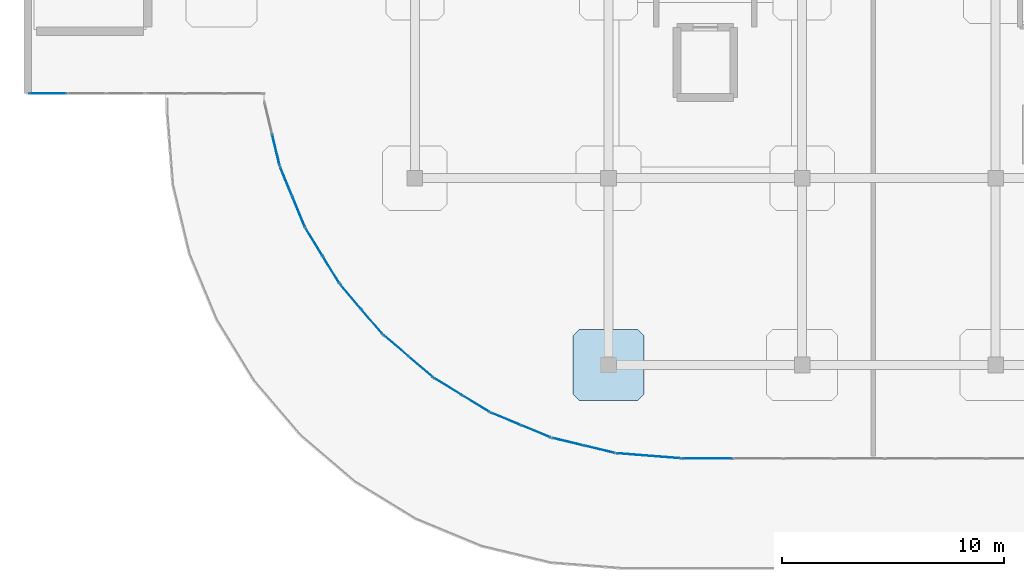
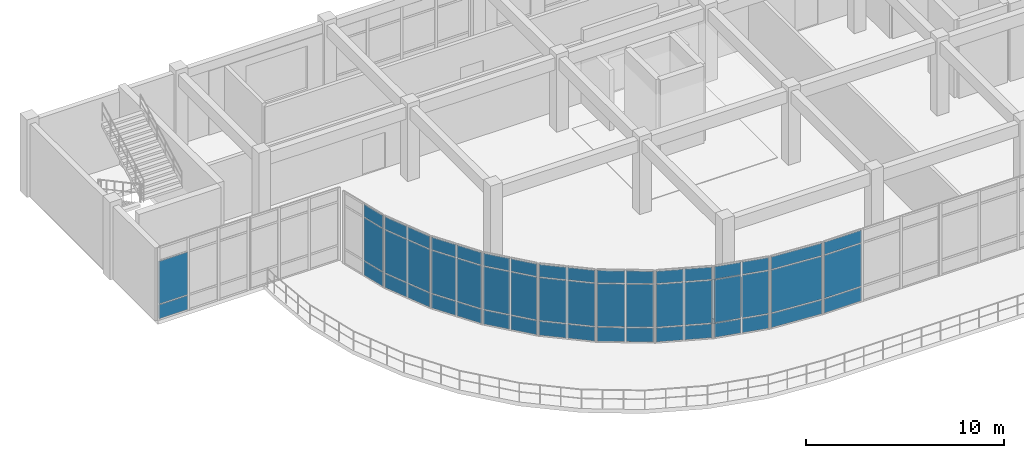
# One storey, part 51 of 76: 53 plates, 1 slab, 11 elements without a shape of their own.
"""IFC4 building model written with IfcOpenShell, lengths in metres."""

from ifc_helpers import new_model, si_unit, derived_unit, direction, frame, origin, origin_2d, place, context, subcontext, project, spatial, polyline, rectangle, outline, extrude, material, layer, layer_set, type_object, element, aggregate, save


model = new_model("IFC4")

# Units and contexts
model_context = context("Model", 3, precision=1e-05, world=origin(), true_north=direction((0.0, 1.0)))
body_context = subcontext(model_context, "Body", "Model", "MODEL_VIEW")
ifc_project = project(units=[si_unit("LENGTHUNIT", "METRE"), si_unit("AREAUNIT", "SQUARE_METRE"), si_unit("VOLUMEUNIT", "CUBIC_METRE"), si_unit("PLANEANGLEUNIT", "RADIAN"), si_unit("MASSUNIT", "GRAM", prefix="KILO"), derived_unit("THERMALTRANSMITTANCEUNIT", [(si_unit("MASSUNIT", "GRAM", prefix="KILO"), 1), (si_unit("TIMEUNIT", "SECOND"), -3), (si_unit("THERMODYNAMICTEMPERATUREUNIT", "KELVIN"), -1)])], contexts=[model_context])

# Site, building, storey
site_placement = place(None, origin())
site = spatial("IfcSite", under=ifc_project, at=site_placement, CompositionType="ELEMENT")
building_placement = place(site_placement, origin())
building = spatial("IfcBuilding", under=site, at=building_placement, Name="Qinzheling Arcade Emporium", CompositionType="ELEMENT")
storey_placement = place(building_placement, frame((0.0, 0.0, 26.699951171875)))
storey = spatial("IfcBuildingStorey", under=building, at=storey_placement, Name="L06", CompositionType="ELEMENT", Elevation=26.699951171875)

# Slab
ifc_material_1 = material(Name="Concrete C40", Category="concrete")
ifc_layer_1 = layer(ifc_material_1, 0.300048828125, Name="Concrete C40", Category="concrete")
ifc_layer_set_1 = layer_set([ifc_layer_1], Name="Concrete C40")
slab_type = type_object("IfcSlabType", Name="Column Head Drop Panel 3200x3200x300 C40", PredefinedType="USERDEFINED", material=ifc_layer_set_1)
slab_placement = place(storey_placement, frame((0.0, 0.0, -0.579833984375)))
element("IfcSlab", 1, at=slab_placement, inside=storey, type_object=slab_type, Name="Column Drop Panel DP-L06-4-C", ObjectType="DROP_PANEL", PredefinedType="USERDEFINED", context=body_context, shape_type="SweptSolid", body=[
    extrude(outline(polyline([(24.780029296875, 15.199951171875), (27.419921875, 15.199951171875), (27.699951171875, 15.47998046875), (27.699951171875, 18.1201171875), (27.419921875, 18.39990234375), (24.780029296875, 18.39990234375), (24.5, 18.1201171875), (24.5, 15.47998046875), (24.780029296875, 15.199951171875)])), origin(), (0.0, 0.0, 1.0), 0.2998046875),
])

# Curtain wall, plates
ifc_material_2 = material(Name="Anodised aluminium and solar-control double glazing", Category="aluminium")
ifc_layer_2 = layer(ifc_material_2, 0.159912109375, Name="Anodised aluminium and solar-control double glazing", Category="aluminium")
ifc_layer_set_2 = layer_set([ifc_layer_2], Name="Anodised aluminium and solar-control double glazing")
curtain_wall_type_1 = type_object("IfcCurtainWallType", Name="Arcade Portal Glazed Curtain Wall", PredefinedType="NOTDEFINED", material=ifc_layer_set_2)
curtain_wall_1_placement = place(storey_placement, origin())
curtain_wall_1 = element("IfcCurtainWall", 2, at=curtain_wall_1_placement, inside=storey, type_object=curtain_wall_type_1, Name="Curtain Wall CW-L06-349", PredefinedType="NOTDEFINED")
ifc_material_3 = material(Name="Laminated solar-control double glazing", Category="glass")
ifc_layer_3 = layer(ifc_material_3, 0.02392578125, Name="Laminated solar-control double glazing", Category="glass")
ifc_layer_set_3 = layer_set([ifc_layer_3], Name="Laminated solar-control double glazing")
plate_type_1 = type_object("IfcPlateType", Name="Low-E Double Glazed Curtain Panel 24mm", PredefinedType="CURTAIN_PANEL", material=ifc_layer_set_3)
plate_1_placement = place(storey_placement, frame((30.5546875, 12.60009765625, 0.06005859375), z_axis=(0.0, 0.0, 1.0), x_axis=(-1.0, 0.0, 0.0)))
plate_1 = element("IfcPlate", 3, at=plate_1_placement, type_object=plate_type_1, Name="CW05 panel 3.1", PredefinedType="CURTAIN_PANEL", context=body_context, shape_type="SweptSolid", body=[
    extrude(rectangle(XDim=2.189453125, YDim=0.02392578125, at=origin_2d()), origin(), (0.0, 0.0, 1.0), 0.860107421875),
])
plate_2_placement = place(storey_placement, frame((30.5546875, 12.60009765625, 0.980224609375), z_axis=(0.0, 0.0, 1.0), x_axis=(-1.0, 0.0, 0.0)))
plate_2 = element("IfcPlate", 4, at=plate_2_placement, type_object=plate_type_1, Name="CW05 panel 3.2", PredefinedType="CURTAIN_PANEL", context=body_context, shape_type="SweptSolid", body=[
    extrude(rectangle(XDim=2.189453125, YDim=0.02392578125, at=origin_2d()), origin(), (0.0, 0.0, 1.0), 2.6298828125),
])
plate_3_placement = place(storey_placement, frame((30.5546875, 12.60009765625, 3.669921875), z_axis=(0.0, 0.0, 1.0), x_axis=(-1.0, 0.0, 0.0)))
plate_3 = element("IfcPlate", 5, at=plate_3_placement, type_object=plate_type_1, Name="CW05 panel 3.3", PredefinedType="CURTAIN_PANEL", context=body_context, shape_type="SweptSolid", body=[
    extrude(rectangle(XDim=2.189453125, YDim=0.02392578125, at=origin_2d()), origin(), (0.0, 0.0, 1.0), 0.760009765625),
])
aggregate(curtain_wall_1, [plate_1, plate_2, plate_3])

curtain_wall_2_placement = place(storey_placement, origin())
curtain_wall_2 = element("IfcCurtainWall", 6, at=curtain_wall_2_placement, inside=storey, type_object=curtain_wall_type_1, Name="Curtain Wall CW-L06-350", PredefinedType="NOTDEFINED")
ifc_layer_4 = layer(ifc_material_3, 0.02490234375, Name="Laminated solar-control double glazing", Category="glass")
ifc_layer_set_4 = layer_set([ifc_layer_4], Name="Laminated solar-control double glazing")
plate_type_2 = type_object("IfcPlateType", Name="Low-E Double Glazed Curtain Panel 25mm", PredefinedType="CURTAIN_PANEL", material=ifc_layer_set_4)
plate_4_placement = place(storey_placement, frame((27.9140625, 12.717041015625, 0.06005859375), z_axis=(0.0, 0.0, 1.0), x_axis=(-0.996914748145, 0.078491941816, 0.0)))
plate_4 = element("IfcPlate", 7, at=plate_4_placement, type_object=plate_type_2, Name="CW05 panel 1.1", PredefinedType="CURTAIN_PANEL", context=body_context, shape_type="SweptSolid", body=[
    extrude(rectangle(XDim=2.861083984375, YDim=0.02490234375, at=origin_2d()), origin(), (0.0, 0.0, 1.0), 0.860107421875),
])
plate_5_placement = place(storey_placement, frame((27.9140625, 12.717041015625, 0.980224609375), z_axis=(0.0, 0.0, 1.0), x_axis=(-0.996914748145, 0.078491941816, 0.0)))
plate_5 = element("IfcPlate", 8, at=plate_5_placement, type_object=plate_type_2, Name="CW05 panel 1.2", PredefinedType="CURTAIN_PANEL", context=body_context, shape_type="SweptSolid", body=[
    extrude(rectangle(XDim=2.861083984375, YDim=0.02490234375, at=origin_2d()), origin(), (0.0, 0.0, 1.0), 2.6298828125),
])
plate_6_placement = place(storey_placement, frame((27.9140625, 12.717041015625, 3.669921875), z_axis=(0.0, 0.0, 1.0), x_axis=(-0.996914748145, 0.078491941816, 0.0)))
plate_6 = element("IfcPlate", 9, at=plate_6_placement, type_object=plate_type_2, Name="CW05 panel 1.3", PredefinedType="CURTAIN_PANEL", context=body_context, shape_type="SweptSolid", body=[
    extrude(rectangle(XDim=2.861083984375, YDim=0.02490234375, at=origin_2d()), origin(), (0.0, 0.0, 1.0), 0.760009765625),
])
aggregate(curtain_wall_2, [plate_4, plate_5, plate_6])

ifc_layer_5 = layer(ifc_material_2, 0.159912109375, Name="Anodised aluminium and solar-control double glazing", Category="aluminium")
ifc_layer_set_5 = layer_set([ifc_layer_5], Name="Anodised aluminium and solar-control double glazing")
curtain_wall_type_2 = type_object("IfcCurtainWallType", Name="Curved Ribbon Sales Curtain Wall", PredefinedType="NOTDEFINED", material=ifc_layer_set_5)
curtain_wall_3_placement = place(storey_placement, origin())
curtain_wall_3 = element("IfcCurtainWall", 10, at=curtain_wall_3_placement, inside=storey, type_object=curtain_wall_type_2, Name="Curtain Wall CW-L06-351", PredefinedType="NOTDEFINED")
ifc_layer_6 = layer(ifc_material_3, 0.02587890625, Name="Laminated solar-control double glazing", Category="glass")
ifc_layer_set_6 = layer_set([ifc_layer_6], Name="Laminated solar-control double glazing")
plate_type_3 = type_object("IfcPlateType", Name="Low-E Double Glazed Curtain Panel 26mm", PredefinedType="CURTAIN_PANEL", material=ifc_layer_set_6)
plate_7_placement = place(storey_placement, frame((25.688720703125, 13.011474609375, 0.06005859375), z_axis=(0.0, 0.0, 1.0), x_axis=(-0.972369031298, 0.233449067193, 0.0)))
plate_7 = element("IfcPlate", 11, at=plate_7_placement, type_object=plate_type_3, Name="CW02 panel 1.1", PredefinedType="CURTAIN_PANEL", context=body_context, shape_type="SweptSolid", body=[
    extrude(rectangle(XDim=1.400634765625, YDim=0.02587890625, at=origin_2d()), origin(), (0.0, 0.0, 1.0), 0.860107421875),
])
plate_8_placement = place(storey_placement, frame((25.688720703125, 13.011474609375, 0.980224609375), z_axis=(0.0, 0.0, 1.0), x_axis=(-0.972369031298, 0.233449067193, 0.0)))
plate_8 = element("IfcPlate", 12, at=plate_8_placement, type_object=plate_type_3, Name="CW02 panel 1.2", PredefinedType="CURTAIN_PANEL", context=body_context, shape_type="SweptSolid", body=[
    extrude(rectangle(XDim=1.400634765625, YDim=0.02587890625, at=origin_2d()), origin(), (0.0, 0.0, 1.0), 2.6298828125),
])
plate_9_placement = place(storey_placement, frame((25.688720703125, 13.011474609375, 3.669921875), z_axis=(0.0, 0.0, 1.0), x_axis=(-0.972369031298, 0.233449067193, 0.0)))
plate_9 = element("IfcPlate", 13, at=plate_9_placement, type_object=plate_type_3, Name="CW02 panel 1.3", PredefinedType="CURTAIN_PANEL", context=body_context, shape_type="SweptSolid", body=[
    extrude(rectangle(XDim=1.400634765625, YDim=0.02587890625, at=origin_2d()), origin(), (0.0, 0.0, 1.0), 0.760009765625),
])
plate_10_placement = place(storey_placement, frame((24.268310546875, 13.3525390625, 0.06005859375), z_axis=(0.0, 0.0, 1.0), x_axis=(-0.972369031298, 0.233449067193, 0.0)))
plate_10 = element("IfcPlate", 14, at=plate_10_placement, type_object=plate_type_3, Name="CW02 panel 2.1", PredefinedType="CURTAIN_PANEL", context=body_context, shape_type="SweptSolid", body=[
    extrude(rectangle(XDim=1.400634765625, YDim=0.02587890625, at=origin_2d()), origin(), (0.0, 0.0, 1.0), 0.860107421875),
])
plate_11_placement = place(storey_placement, frame((24.268310546875, 13.3525390625, 0.980224609375), z_axis=(0.0, 0.0, 1.0), x_axis=(-0.972369031298, 0.233449067193, 0.0)))
plate_11 = element("IfcPlate", 15, at=plate_11_placement, type_object=plate_type_3, Name="CW02 panel 2.2", PredefinedType="CURTAIN_PANEL", context=body_context, shape_type="SweptSolid", body=[
    extrude(rectangle(XDim=1.400634765625, YDim=0.02587890625, at=origin_2d()), origin(), (0.0, 0.0, 1.0), 2.6298828125),
])
plate_12_placement = place(storey_placement, frame((24.268310546875, 13.3525390625, 3.669921875), z_axis=(0.0, 0.0, 1.0), x_axis=(-0.972369031298, 0.233449067193, 0.0)))
plate_12 = element("IfcPlate", 16, at=plate_12_placement, type_object=plate_type_3, Name="CW02 panel 2.3", PredefinedType="CURTAIN_PANEL", context=body_context, shape_type="SweptSolid", body=[
    extrude(rectangle(XDim=1.400634765625, YDim=0.02587890625, at=origin_2d()), origin(), (0.0, 0.0, 1.0), 0.760009765625),
])
aggregate(curtain_wall_3, [plate_7, plate_8, plate_9, plate_10, plate_11, plate_12])

curtain_wall_4_placement = place(storey_placement, origin())
curtain_wall_4 = element("IfcCurtainWall", 17, at=curtain_wall_4_placement, inside=storey, type_object=curtain_wall_type_2, Name="Curtain Wall CW-L06-352", PredefinedType="NOTDEFINED")
ifc_layer_7 = layer(ifc_material_3, 0.027099609375, Name="Laminated solar-control double glazing", Category="glass")
ifc_layer_set_7 = layer_set([ifc_layer_7], Name="Laminated solar-control double glazing")
plate_type_4 = type_object("IfcPlateType", Name="Low-E Double Glazed Curtain Panel 27mm", PredefinedType="CURTAIN_PANEL", material=ifc_layer_set_7)
plate_13_placement = place(storey_placement, frame((22.826416015625, 13.821044921875, 0.06005859375), z_axis=(0.0, 0.0, 1.0), x_axis=(-0.923898307913, 0.382638101391, 0.0)))
plate_13 = element("IfcPlate", 18, at=plate_13_placement, type_object=plate_type_4, Name="CW02 panel 1.1", PredefinedType="CURTAIN_PANEL", context=body_context, shape_type="SweptSolid", body=[
    extrude(rectangle(XDim=1.40087890625, YDim=0.027099609375, at=origin_2d()), origin(), (0.0, 0.0, 1.0), 0.860107421875),
])
plate_14_placement = place(storey_placement, frame((22.826416015625, 13.821044921875, 0.980224609375), z_axis=(0.0, 0.0, 1.0), x_axis=(-0.923898307913, 0.382638101391, 0.0)))
plate_14 = element("IfcPlate", 19, at=plate_14_placement, type_object=plate_type_4, Name="CW02 panel 1.2", PredefinedType="CURTAIN_PANEL", context=body_context, shape_type="SweptSolid", body=[
    extrude(rectangle(XDim=1.40087890625, YDim=0.027099609375, at=origin_2d()), origin(), (0.0, 0.0, 1.0), 2.6298828125),
])
plate_15_placement = place(storey_placement, frame((22.826416015625, 13.821044921875, 3.669921875), z_axis=(0.0, 0.0, 1.0), x_axis=(-0.923898307913, 0.382638101391, 0.0)))
plate_15 = element("IfcPlate", 20, at=plate_15_placement, type_object=plate_type_4, Name="CW02 panel 1.3", PredefinedType="CURTAIN_PANEL", context=body_context, shape_type="SweptSolid", body=[
    extrude(rectangle(XDim=1.40087890625, YDim=0.027099609375, at=origin_2d()), origin(), (0.0, 0.0, 1.0), 0.760009765625),
])
plate_16_placement = place(storey_placement, frame((21.4765625, 14.380126953125, 0.06005859375), z_axis=(0.0, 0.0, 1.0), x_axis=(-0.923898307913, 0.382638101391, 0.0)))
plate_16 = element("IfcPlate", 21, at=plate_16_placement, type_object=plate_type_4, Name="CW02 panel 2.1", PredefinedType="CURTAIN_PANEL", context=body_context, shape_type="SweptSolid", body=[
    extrude(rectangle(XDim=1.40087890625, YDim=0.027099609375, at=origin_2d()), origin(), (0.0, 0.0, 1.0), 0.860107421875),
])
plate_17_placement = place(storey_placement, frame((21.4765625, 14.380126953125, 0.980224609375), z_axis=(0.0, 0.0, 1.0), x_axis=(-0.923898307913, 0.382638101391, 0.0)))
plate_17 = element("IfcPlate", 22, at=plate_17_placement, type_object=plate_type_4, Name="CW02 panel 2.2", PredefinedType="CURTAIN_PANEL", context=body_context, shape_type="SweptSolid", body=[
    extrude(rectangle(XDim=1.40087890625, YDim=0.027099609375, at=origin_2d()), origin(), (0.0, 0.0, 1.0), 2.6298828125),
])
plate_18_placement = place(storey_placement, frame((21.4765625, 14.380126953125, 3.669921875), z_axis=(0.0, 0.0, 1.0), x_axis=(-0.923898307913, 0.382638101391, 0.0)))
plate_18 = element("IfcPlate", 23, at=plate_18_placement, type_object=plate_type_4, Name="CW02 panel 2.3", PredefinedType="CURTAIN_PANEL", context=body_context, shape_type="SweptSolid", body=[
    extrude(rectangle(XDim=1.40087890625, YDim=0.027099609375, at=origin_2d()), origin(), (0.0, 0.0, 1.0), 0.760009765625),
])
aggregate(curtain_wall_4, [plate_13, plate_14, plate_15, plate_16, plate_17, plate_18])

curtain_wall_5_placement = place(storey_placement, origin())
curtain_wall_5 = element("IfcCurtainWall", 24, at=curtain_wall_5_placement, inside=storey, type_object=curtain_wall_type_2, Name="Curtain Wall CW-L06-353", PredefinedType="NOTDEFINED")
ifc_layer_8 = layer(ifc_material_3, 0.028076171875, Name="Laminated solar-control double glazing", Category="glass")
ifc_layer_set_8 = layer_set([ifc_layer_8], Name="Laminated solar-control double glazing")
plate_type_5 = type_object("IfcPlateType", Name="Low-E Double Glazed Curtain Panel 28mm", PredefinedType="CURTAIN_PANEL", material=ifc_layer_set_8)
plate_19_placement = place(storey_placement, frame((20.125732421875, 15.068359375, 0.06005859375), z_axis=(0.0, 0.0, 1.0), x_axis=(-0.852601252413, 0.522562057926, 0.0)))
plate_19 = element("IfcPlate", 25, at=plate_19_placement, type_object=plate_type_5, Name="CW02 panel 1.1", PredefinedType="CURTAIN_PANEL", context=body_context, shape_type="SweptSolid", body=[
    extrude(rectangle(XDim=1.400634765625, YDim=0.028076171875, at=origin_2d()), origin(), (0.0, 0.0, 1.0), 0.860107421875),
])
plate_20_placement = place(storey_placement, frame((20.125732421875, 15.068359375, 0.980224609375), z_axis=(0.0, 0.0, 1.0), x_axis=(-0.852601252413, 0.522562057926, 0.0)))
plate_20 = element("IfcPlate", 26, at=plate_20_placement, type_object=plate_type_5, Name="CW02 panel 1.2", PredefinedType="CURTAIN_PANEL", context=body_context, shape_type="SweptSolid", body=[
    extrude(rectangle(XDim=1.400634765625, YDim=0.028076171875, at=origin_2d()), origin(), (0.0, 0.0, 1.0), 2.6298828125),
])
plate_21_placement = place(storey_placement, frame((20.125732421875, 15.068359375, 3.669921875), z_axis=(0.0, 0.0, 1.0), x_axis=(-0.852601252413, 0.522562057926, 0.0)))
plate_21 = element("IfcPlate", 27, at=plate_21_placement, type_object=plate_type_5, Name="CW02 panel 1.3", PredefinedType="CURTAIN_PANEL", context=body_context, shape_type="SweptSolid", body=[
    extrude(rectangle(XDim=1.400634765625, YDim=0.028076171875, at=origin_2d()), origin(), (0.0, 0.0, 1.0), 0.760009765625),
])
plate_22_placement = place(storey_placement, frame((18.88037109375, 15.83154296875, 0.06005859375), z_axis=(0.0, 0.0, 1.0), x_axis=(-0.852601252413, 0.522562057926, 0.0)))
plate_22 = element("IfcPlate", 28, at=plate_22_placement, type_object=plate_type_5, Name="CW02 panel 2.1", PredefinedType="CURTAIN_PANEL", context=body_context, shape_type="SweptSolid", body=[
    extrude(rectangle(XDim=1.400634765625, YDim=0.028076171875, at=origin_2d()), origin(), (0.0, 0.0, 1.0), 0.860107421875),
])
plate_23_placement = place(storey_placement, frame((18.88037109375, 15.83154296875, 0.980224609375), z_axis=(0.0, 0.0, 1.0), x_axis=(-0.852601252413, 0.522562057926, 0.0)))
plate_23 = element("IfcPlate", 29, at=plate_23_placement, type_object=plate_type_5, Name="CW02 panel 2.2", PredefinedType="CURTAIN_PANEL", context=body_context, shape_type="SweptSolid", body=[
    extrude(rectangle(XDim=1.400634765625, YDim=0.028076171875, at=origin_2d()), origin(), (0.0, 0.0, 1.0), 2.6298828125),
])
plate_24_placement = place(storey_placement, frame((18.88037109375, 15.83154296875, 3.669921875), z_axis=(0.0, 0.0, 1.0), x_axis=(-0.852601252413, 0.522562057926, 0.0)))
plate_24 = element("IfcPlate", 30, at=plate_24_placement, type_object=plate_type_5, Name="CW02 panel 2.3", PredefinedType="CURTAIN_PANEL", context=body_context, shape_type="SweptSolid", body=[
    extrude(rectangle(XDim=1.400634765625, YDim=0.028076171875, at=origin_2d()), origin(), (0.0, 0.0, 1.0), 0.760009765625),
])
aggregate(curtain_wall_5, [plate_19, plate_20, plate_21, plate_22, plate_23, plate_24])

curtain_wall_6_placement = place(storey_placement, origin())
curtain_wall_6 = element("IfcCurtainWall", 31, at=curtain_wall_6_placement, inside=storey, type_object=curtain_wall_type_2, Name="Curtain Wall CW-L06-354", PredefinedType="NOTDEFINED")
ifc_layer_9 = layer(ifc_material_3, 0.029052734375, Name="Laminated solar-control double glazing", Category="glass")
ifc_layer_set_9 = layer_set([ifc_layer_9], Name="Laminated solar-control double glazing")
plate_type_6 = type_object("IfcPlateType", Name="Low-E Double Glazed Curtain Panel 29mm", PredefinedType="CURTAIN_PANEL", material=ifc_layer_set_9)
plate_25_placement = place(storey_placement, frame((17.65380859375, 16.72265625, 0.06005859375), z_axis=(0.0, 0.0, 1.0), x_axis=(-0.760439246879, 0.649409078937, 0.0)))
plate_25 = element("IfcPlate", 32, at=plate_25_placement, type_object=plate_type_6, Name="CW02 panel 1.1", PredefinedType="CURTAIN_PANEL", context=body_context, shape_type="SweptSolid", body=[
    extrude(rectangle(XDim=1.400634765625, YDim=0.029052734375, at=origin_2d()), origin(), (0.0, 0.0, 1.0), 0.860107421875),
])
plate_26_placement = place(storey_placement, frame((17.65380859375, 16.72265625, 0.980224609375), z_axis=(0.0, 0.0, 1.0), x_axis=(-0.760439246879, 0.649409078937, 0.0)))
plate_26 = element("IfcPlate", 33, at=plate_26_placement, type_object=plate_type_6, Name="CW02 panel 1.2", PredefinedType="CURTAIN_PANEL", context=body_context, shape_type="SweptSolid", body=[
    extrude(rectangle(XDim=1.400634765625, YDim=0.029052734375, at=origin_2d()), origin(), (0.0, 0.0, 1.0), 2.6298828125),
])
plate_27_placement = place(storey_placement, frame((17.65380859375, 16.72265625, 3.669921875), z_axis=(0.0, 0.0, 1.0), x_axis=(-0.760439246879, 0.649409078937, 0.0)))
plate_27 = element("IfcPlate", 34, at=plate_27_placement, type_object=plate_type_6, Name="CW02 panel 1.3", PredefinedType="CURTAIN_PANEL", context=body_context, shape_type="SweptSolid", body=[
    extrude(rectangle(XDim=1.400634765625, YDim=0.029052734375, at=origin_2d()), origin(), (0.0, 0.0, 1.0), 0.760009765625),
])
plate_28_placement = place(storey_placement, frame((16.543212890625, 17.671142578125, 0.06005859375), z_axis=(0.0, 0.0, 1.0), x_axis=(-0.760439246879, 0.649409078937, 0.0)))
plate_28 = element("IfcPlate", 35, at=plate_28_placement, type_object=plate_type_6, Name="CW02 panel 2.1", PredefinedType="CURTAIN_PANEL", context=body_context, shape_type="SweptSolid", body=[
    extrude(rectangle(XDim=1.400634765625, YDim=0.029052734375, at=origin_2d()), origin(), (0.0, 0.0, 1.0), 0.860107421875),
])
plate_29_placement = place(storey_placement, frame((16.543212890625, 17.671142578125, 0.980224609375), z_axis=(0.0, 0.0, 1.0), x_axis=(-0.760439246879, 0.649409078937, 0.0)))
plate_29 = element("IfcPlate", 36, at=plate_29_placement, type_object=plate_type_6, Name="CW02 panel 2.2", PredefinedType="CURTAIN_PANEL", context=body_context, shape_type="SweptSolid", body=[
    extrude(rectangle(XDim=1.400634765625, YDim=0.029052734375, at=origin_2d()), origin(), (0.0, 0.0, 1.0), 2.6298828125),
])
plate_30_placement = place(storey_placement, frame((16.543212890625, 17.671142578125, 3.669921875), z_axis=(0.0, 0.0, 1.0), x_axis=(-0.760439246879, 0.649409078937, 0.0)))
plate_30 = element("IfcPlate", 37, at=plate_30_placement, type_object=plate_type_6, Name="CW02 panel 2.3", PredefinedType="CURTAIN_PANEL", context=body_context, shape_type="SweptSolid", body=[
    extrude(rectangle(XDim=1.400634765625, YDim=0.029052734375, at=origin_2d()), origin(), (0.0, 0.0, 1.0), 0.760009765625),
])
aggregate(curtain_wall_6, [plate_25, plate_26, plate_27, plate_28, plate_29, plate_30])

curtain_wall_7_placement = place(storey_placement, origin())
curtain_wall_7 = element("IfcCurtainWall", 38, at=curtain_wall_7_placement, inside=storey, type_object=curtain_wall_type_2, Name="Curtain Wall CW-L06-355", PredefinedType="NOTDEFINED")
ifc_layer_10 = layer(ifc_material_3, 0.030029296875, Name="Laminated solar-control double glazing", Category="glass")
ifc_layer_set_10 = layer_set([ifc_layer_10], Name="Laminated solar-control double glazing")
plate_type_7 = type_object("IfcPlateType", Name="Low-E Double Glazed Curtain Panel 30mm", PredefinedType="CURTAIN_PANEL", material=ifc_layer_set_10)
plate_31_placement = place(storey_placement, frame((15.47119140625, 18.7431640625, 0.06005859375), z_axis=(0.0, 0.0, 1.0), x_axis=(-0.649409078937, 0.760439246879, 0.0)))
plate_31 = element("IfcPlate", 39, at=plate_31_placement, type_object=plate_type_7, Name="CW02 panel 1.1", PredefinedType="CURTAIN_PANEL", context=body_context, shape_type="SweptSolid", body=[
    extrude(rectangle(XDim=1.400634765625, YDim=0.030029296875, at=origin_2d()), origin(), (0.0, 0.0, 1.0), 0.860107421875),
])
plate_32_placement = place(storey_placement, frame((15.47119140625, 18.7431640625, 0.980224609375), z_axis=(0.0, 0.0, 1.0), x_axis=(-0.649409078937, 0.760439246879, 0.0)))
plate_32 = element("IfcPlate", 40, at=plate_32_placement, type_object=plate_type_7, Name="CW02 panel 1.2", PredefinedType="CURTAIN_PANEL", context=body_context, shape_type="SweptSolid", body=[
    extrude(rectangle(XDim=1.400634765625, YDim=0.030029296875, at=origin_2d()), origin(), (0.0, 0.0, 1.0), 2.6298828125),
])
plate_33_placement = place(storey_placement, frame((15.47119140625, 18.7431640625, 3.669921875), z_axis=(0.0, 0.0, 1.0), x_axis=(-0.649409078937, 0.760439246879, 0.0)))
plate_33 = element("IfcPlate", 41, at=plate_33_placement, type_object=plate_type_7, Name="CW02 panel 1.3", PredefinedType="CURTAIN_PANEL", context=body_context, shape_type="SweptSolid", body=[
    extrude(rectangle(XDim=1.400634765625, YDim=0.030029296875, at=origin_2d()), origin(), (0.0, 0.0, 1.0), 0.760009765625),
])
plate_34_placement = place(storey_placement, frame((14.522705078125, 19.853759765625, 0.06005859375), z_axis=(0.0, 0.0, 1.0), x_axis=(-0.649409078937, 0.760439246879, 0.0)))
plate_34 = element("IfcPlate", 42, at=plate_34_placement, type_object=plate_type_7, Name="CW02 panel 2.1", PredefinedType="CURTAIN_PANEL", context=body_context, shape_type="SweptSolid", body=[
    extrude(rectangle(XDim=1.400634765625, YDim=0.030029296875, at=origin_2d()), origin(), (0.0, 0.0, 1.0), 0.860107421875),
])
plate_35_placement = place(storey_placement, frame((14.522705078125, 19.853759765625, 0.980224609375), z_axis=(0.0, 0.0, 1.0), x_axis=(-0.649409078937, 0.760439246879, 0.0)))
plate_35 = element("IfcPlate", 43, at=plate_35_placement, type_object=plate_type_7, Name="CW02 panel 2.2", PredefinedType="CURTAIN_PANEL", context=body_context, shape_type="SweptSolid", body=[
    extrude(rectangle(XDim=1.400634765625, YDim=0.030029296875, at=origin_2d()), origin(), (0.0, 0.0, 1.0), 2.6298828125),
])
plate_36_placement = place(storey_placement, frame((14.522705078125, 19.853759765625, 3.669921875), z_axis=(0.0, 0.0, 1.0), x_axis=(-0.649409078937, 0.760439246879, 0.0)))
plate_36 = element("IfcPlate", 44, at=plate_36_placement, type_object=plate_type_7, Name="CW02 panel 2.3", PredefinedType="CURTAIN_PANEL", context=body_context, shape_type="SweptSolid", body=[
    extrude(rectangle(XDim=1.400634765625, YDim=0.030029296875, at=origin_2d()), origin(), (0.0, 0.0, 1.0), 0.760009765625),
])
aggregate(curtain_wall_7, [plate_31, plate_32, plate_33, plate_34, plate_35, plate_36])

curtain_wall_8_placement = place(storey_placement, origin())
curtain_wall_8 = element("IfcCurtainWall", 45, at=curtain_wall_8_placement, inside=storey, type_object=curtain_wall_type_2, Name="Curtain Wall CW-L06-356", PredefinedType="NOTDEFINED")
ifc_layer_11 = layer(ifc_material_3, 0.031005859375, Name="Laminated solar-control double glazing", Category="glass")
ifc_layer_set_11 = layer_set([ifc_layer_11], Name="Laminated solar-control double glazing")
plate_type_8 = type_object("IfcPlateType", Name="Low-E Double Glazed Curtain Panel 31mm", PredefinedType="CURTAIN_PANEL", material=ifc_layer_set_11)
plate_37_placement = place(storey_placement, frame((13.631591796875, 21.080322265625, 0.06005859375), z_axis=(0.0, 0.0, 1.0), x_axis=(-0.522562057926, 0.852601252413, 0.0)))
plate_37 = element("IfcPlate", 46, at=plate_37_placement, type_object=plate_type_8, Name="CW02 panel 1.1", PredefinedType="CURTAIN_PANEL", context=body_context, shape_type="SweptSolid", body=[
    extrude(rectangle(XDim=1.400634765625, YDim=0.031005859375, at=origin_2d()), origin(), (0.0, 0.0, 1.0), 0.860107421875),
])
plate_38_placement = place(storey_placement, frame((13.631591796875, 21.080322265625, 0.980224609375), z_axis=(0.0, 0.0, 1.0), x_axis=(-0.522562057926, 0.852601252413, 0.0)))
plate_38 = element("IfcPlate", 47, at=plate_38_placement, type_object=plate_type_8, Name="CW02 panel 1.2", PredefinedType="CURTAIN_PANEL", context=body_context, shape_type="SweptSolid", body=[
    extrude(rectangle(XDim=1.400634765625, YDim=0.031005859375, at=origin_2d()), origin(), (0.0, 0.0, 1.0), 2.6298828125),
])
plate_39_placement = place(storey_placement, frame((13.631591796875, 21.080322265625, 3.669921875), z_axis=(0.0, 0.0, 1.0), x_axis=(-0.522562057926, 0.852601252413, 0.0)))
plate_39 = element("IfcPlate", 48, at=plate_39_placement, type_object=plate_type_8, Name="CW02 panel 1.3", PredefinedType="CURTAIN_PANEL", context=body_context, shape_type="SweptSolid", body=[
    extrude(rectangle(XDim=1.400634765625, YDim=0.031005859375, at=origin_2d()), origin(), (0.0, 0.0, 1.0), 0.760009765625),
])
plate_40_placement = place(storey_placement, frame((12.868408203125, 22.32568359375, 0.06005859375), z_axis=(0.0, 0.0, 1.0), x_axis=(-0.522562057926, 0.852601252413, 0.0)))
plate_40 = element("IfcPlate", 49, at=plate_40_placement, type_object=plate_type_8, Name="CW02 panel 2.1", PredefinedType="CURTAIN_PANEL", context=body_context, shape_type="SweptSolid", body=[
    extrude(rectangle(XDim=1.400634765625, YDim=0.031005859375, at=origin_2d()), origin(), (0.0, 0.0, 1.0), 0.860107421875),
])
plate_41_placement = place(storey_placement, frame((12.868408203125, 22.32568359375, 0.980224609375), z_axis=(0.0, 0.0, 1.0), x_axis=(-0.522562057926, 0.852601252413, 0.0)))
plate_41 = element("IfcPlate", 50, at=plate_41_placement, type_object=plate_type_8, Name="CW02 panel 2.2", PredefinedType="CURTAIN_PANEL", context=body_context, shape_type="SweptSolid", body=[
    extrude(rectangle(XDim=1.400634765625, YDim=0.031005859375, at=origin_2d()), origin(), (0.0, 0.0, 1.0), 2.6298828125),
])
plate_42_placement = place(storey_placement, frame((12.868408203125, 22.32568359375, 3.669921875), z_axis=(0.0, 0.0, 1.0), x_axis=(-0.522562057926, 0.852601252413, 0.0)))
plate_42 = element("IfcPlate", 51, at=plate_42_placement, type_object=plate_type_8, Name="CW02 panel 2.3", PredefinedType="CURTAIN_PANEL", context=body_context, shape_type="SweptSolid", body=[
    extrude(rectangle(XDim=1.400634765625, YDim=0.031005859375, at=origin_2d()), origin(), (0.0, 0.0, 1.0), 0.760009765625),
])
aggregate(curtain_wall_8, [plate_37, plate_38, plate_39, plate_40, plate_41, plate_42])

curtain_wall_9_placement = place(storey_placement, origin())
curtain_wall_9 = element("IfcCurtainWall", 52, at=curtain_wall_9_placement, inside=storey, type_object=curtain_wall_type_2, Name="Curtain Wall CW-L06-357", PredefinedType="NOTDEFINED")
ifc_layer_12 = layer(ifc_material_3, 0.031982421875, Name="Laminated solar-control double glazing", Category="glass")
ifc_layer_set_12 = layer_set([ifc_layer_12], Name="Laminated solar-control double glazing")
plate_type_9 = type_object("IfcPlateType", Name="Low-E Double Glazed Curtain Panel 32mm", PredefinedType="CURTAIN_PANEL", material=ifc_layer_set_12)
plate_43_placement = place(storey_placement, frame((12.179931640625, 23.676513671875, 0.06005859375), z_axis=(0.0, 0.0, 1.0), x_axis=(-0.382638101391, 0.923898307913, 0.0)))
plate_43 = element("IfcPlate", 53, at=plate_43_placement, type_object=plate_type_9, Name="CW02 panel 1.1", PredefinedType="CURTAIN_PANEL", context=body_context, shape_type="SweptSolid", body=[
    extrude(rectangle(XDim=1.40087890625, YDim=0.031982421875, at=origin_2d()), origin(), (0.0, 0.0, 1.0), 0.860107421875),
])
plate_44_placement = place(storey_placement, frame((12.179931640625, 23.676513671875, 0.980224609375), z_axis=(0.0, 0.0, 1.0), x_axis=(-0.382638101391, 0.923898307913, 0.0)))
plate_44 = element("IfcPlate", 54, at=plate_44_placement, type_object=plate_type_9, Name="CW02 panel 1.2", PredefinedType="CURTAIN_PANEL", context=body_context, shape_type="SweptSolid", body=[
    extrude(rectangle(XDim=1.40087890625, YDim=0.031982421875, at=origin_2d()), origin(), (0.0, 0.0, 1.0), 2.6298828125),
])
plate_45_placement = place(storey_placement, frame((12.179931640625, 23.676513671875, 3.669921875), z_axis=(0.0, 0.0, 1.0), x_axis=(-0.382638101391, 0.923898307913, 0.0)))
plate_45 = element("IfcPlate", 55, at=plate_45_placement, type_object=plate_type_9, Name="CW02 panel 1.3", PredefinedType="CURTAIN_PANEL", context=body_context, shape_type="SweptSolid", body=[
    extrude(rectangle(XDim=1.40087890625, YDim=0.031982421875, at=origin_2d()), origin(), (0.0, 0.0, 1.0), 0.760009765625),
])
plate_46_placement = place(storey_placement, frame((11.62109375, 25.0263671875, 0.06005859375), z_axis=(0.0, 0.0, 1.0), x_axis=(-0.382638101391, 0.923898307913, 0.0)))
plate_46 = element("IfcPlate", 56, at=plate_46_placement, type_object=plate_type_9, Name="CW02 panel 2.1", PredefinedType="CURTAIN_PANEL", context=body_context, shape_type="SweptSolid", body=[
    extrude(rectangle(XDim=1.40087890625, YDim=0.031982421875, at=origin_2d()), origin(), (0.0, 0.0, 1.0), 0.860107421875),
])
plate_47_placement = place(storey_placement, frame((11.62109375, 25.0263671875, 0.980224609375), z_axis=(0.0, 0.0, 1.0), x_axis=(-0.382638101391, 0.923898307913, 0.0)))
plate_47 = element("IfcPlate", 57, at=plate_47_placement, type_object=plate_type_9, Name="CW02 panel 2.2", PredefinedType="CURTAIN_PANEL", context=body_context, shape_type="SweptSolid", body=[
    extrude(rectangle(XDim=1.40087890625, YDim=0.031982421875, at=origin_2d()), origin(), (0.0, 0.0, 1.0), 2.6298828125),
])
plate_48_placement = place(storey_placement, frame((11.62109375, 25.0263671875, 3.669921875), z_axis=(0.0, 0.0, 1.0), x_axis=(-0.382638101391, 0.923898307913, 0.0)))
plate_48 = element("IfcPlate", 58, at=plate_48_placement, type_object=plate_type_9, Name="CW02 panel 2.3", PredefinedType="CURTAIN_PANEL", context=body_context, shape_type="SweptSolid", body=[
    extrude(rectangle(XDim=1.40087890625, YDim=0.031982421875, at=origin_2d()), origin(), (0.0, 0.0, 1.0), 0.760009765625),
])
aggregate(curtain_wall_9, [plate_43, plate_44, plate_45, plate_46, plate_47, plate_48])

curtain_wall_10_placement = place(storey_placement, origin())
curtain_wall_10 = element("IfcCurtainWall", 59, at=curtain_wall_10_placement, inside=storey, type_object=curtain_wall_type_2, Name="Curtain Wall CW-L06-358", PredefinedType="NOTDEFINED")
ifc_layer_13 = layer(ifc_material_3, 0.033935546875, Name="Laminated solar-control double glazing", Category="glass")
ifc_layer_set_13 = layer_set([ifc_layer_13], Name="Laminated solar-control double glazing")
plate_type_10 = type_object("IfcPlateType", Name="Low-E Double Glazed Curtain Panel 34mm", PredefinedType="CURTAIN_PANEL", material=ifc_layer_set_13)
plate_49_placement = place(storey_placement, frame((11.152587890625, 26.46826171875, 0.06005859375), z_axis=(0.0, 0.0, 1.0), x_axis=(-0.233449067193, 0.972369031298, 0.0)))
plate_49 = element("IfcPlate", 60, at=plate_49_placement, type_object=plate_type_10, Name="CW02 panel 1.1", PredefinedType="CURTAIN_PANEL", context=body_context, shape_type="SweptSolid", body=[
    extrude(rectangle(XDim=1.400634765625, YDim=0.033935546875, at=origin_2d()), origin(), (0.0, 0.0, 1.0), 0.860107421875),
])
plate_50_placement = place(storey_placement, frame((11.152587890625, 26.46826171875, 0.980224609375), z_axis=(0.0, 0.0, 1.0), x_axis=(-0.233449067193, 0.972369031298, 0.0)))
plate_50 = element("IfcPlate", 61, at=plate_50_placement, type_object=plate_type_10, Name="CW02 panel 1.2", PredefinedType="CURTAIN_PANEL", context=body_context, shape_type="SweptSolid", body=[
    extrude(rectangle(XDim=1.400634765625, YDim=0.033935546875, at=origin_2d()), origin(), (0.0, 0.0, 1.0), 2.6298828125),
])
plate_51_placement = place(storey_placement, frame((11.152587890625, 26.46826171875, 3.669921875), z_axis=(0.0, 0.0, 1.0), x_axis=(-0.233449067193, 0.972369031298, 0.0)))
plate_51 = element("IfcPlate", 62, at=plate_51_placement, type_object=plate_type_10, Name="CW02 panel 1.3", PredefinedType="CURTAIN_PANEL", context=body_context, shape_type="SweptSolid", body=[
    extrude(rectangle(XDim=1.400634765625, YDim=0.033935546875, at=origin_2d()), origin(), (0.0, 0.0, 1.0), 0.760009765625),
])
aggregate(curtain_wall_10, [plate_49, plate_50, plate_51])

curtain_wall_11_placement = place(storey_placement, origin())
curtain_wall_11 = element("IfcCurtainWall", 63, at=curtain_wall_11_placement, inside=storey, type_object=curtain_wall_type_1, Name="Curtain Wall CW-L06-360", PredefinedType="NOTDEFINED")
ifc_layer_14 = layer(ifc_material_3, 0.0380859375, Name="Laminated solar-control double glazing", Category="glass")
ifc_layer_set_14 = layer_set([ifc_layer_14], Name="Laminated solar-control double glazing")
plate_type_11 = type_object("IfcPlateType", Name="Low-E Double Glazed Curtain Panel 38mm", PredefinedType="CURTAIN_PANEL", material=ifc_layer_set_14)
plate_52_placement = place(storey_placement, frame((0.8984375, 29.0, 0.06005859375), z_axis=(0.0, 0.0, 1.0), x_axis=(-1.0, 0.0, 0.0)))
plate_52 = element("IfcPlate", 64, at=plate_52_placement, type_object=plate_type_11, Name="CW05 panel 3.1", PredefinedType="CURTAIN_PANEL", context=body_context, shape_type="SweptSolid", body=[
    extrude(rectangle(XDim=1.677001953125, YDim=0.0380859375, at=origin_2d()), origin(), (0.0, 0.0, 1.0), 0.860107421875),
])
plate_53_placement = place(storey_placement, frame((0.8984375, 29.0, 0.980224609375), z_axis=(0.0, 0.0, 1.0), x_axis=(-1.0, 0.0, 0.0)))
plate_53 = element("IfcPlate", 65, at=plate_53_placement, type_object=plate_type_11, Name="CW05 panel 3.2", PredefinedType="CURTAIN_PANEL", context=body_context, shape_type="SweptSolid", body=[
    extrude(rectangle(XDim=1.677001953125, YDim=0.0380859375, at=origin_2d()), origin(), (0.0, 0.0, 1.0), 2.6298828125),
])
aggregate(curtain_wall_11, [plate_52, plate_53])

save(model, "model.ifc")
